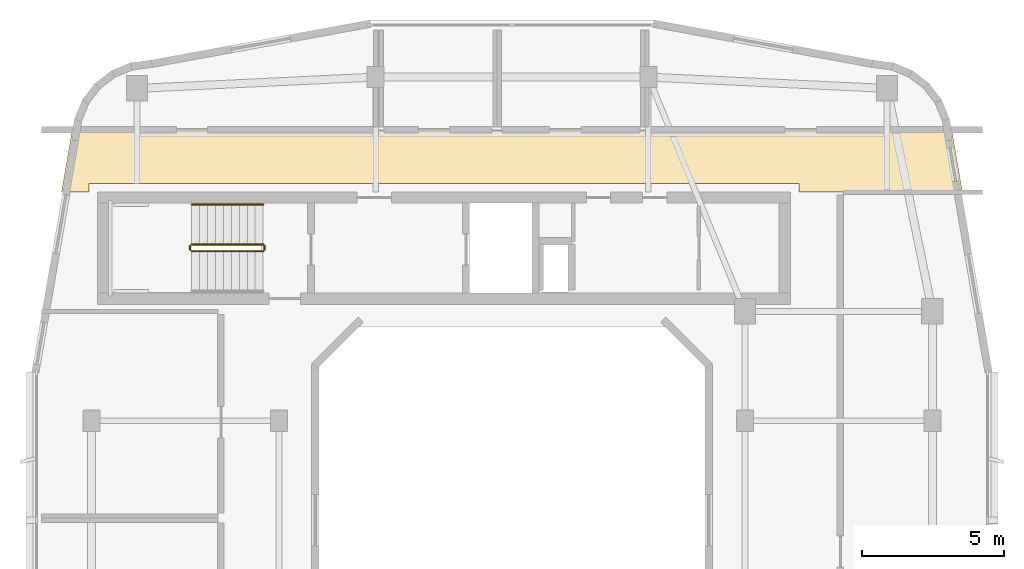
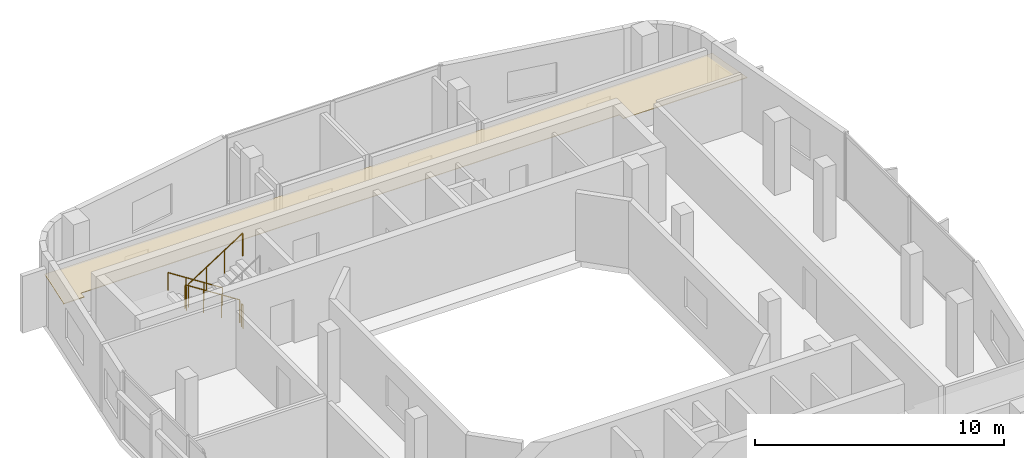
# One storey, part 9 of 10: 5 railings, 1 covering.
"""IFC4 building model written with IfcOpenShell, lengths in metres."""

from ifc_helpers import new_model, si_unit, derived_unit, direction, frame, origin, origin_2d, place, context, subcontext, project, spatial, polyline, circle, outline, extrude, material, layer, layer_set, type_object, element, save


model = new_model("IFC4")

# Units and contexts
model_context = context("Model", 3, precision=1e-05, world=origin(), true_north=direction((0.0, 1.0)))
body_context = subcontext(model_context, "Body", "Model", "MODEL_VIEW")
ifc_project = project(units=[si_unit("LENGTHUNIT", "METRE"), si_unit("AREAUNIT", "SQUARE_METRE"), si_unit("VOLUMEUNIT", "CUBIC_METRE"), si_unit("PLANEANGLEUNIT", "RADIAN"), si_unit("MASSUNIT", "GRAM", prefix="KILO"), derived_unit("THERMALTRANSMITTANCEUNIT", [(si_unit("POWERUNIT", "WATT"), 1), (si_unit("LENGTHUNIT", "METRE"), -2), (si_unit("THERMODYNAMICTEMPERATUREUNIT", "KELVIN"), -1)])], contexts=[model_context])

# Site, building, storey
site_placement = place(None, origin())
site = spatial("IfcSite", under=ifc_project, at=site_placement, CompositionType="ELEMENT")
building_placement = place(site_placement, origin())
building = spatial("IfcBuilding", under=site, at=building_placement, Name="Kivonza Crest Hotel", CompositionType="ELEMENT")
storey_placement = place(building_placement, frame((0.0, 0.0, 264.800048828125)))
storey = spatial("IfcBuildingStorey", under=building, at=storey_placement, Name="L72", CompositionType="ELEMENT", Elevation=264.800048828125)

# Covering
ifc_material_1 = material(Name="Moisture-resistant gypsum plasterboard ceiling", Category="gypsum")
ifc_layer = layer(ifc_material_1, 0.030029296875)
ifc_layer_set = layer_set([ifc_layer], Name="Moisture-resistant gypsum plasterboard ceiling")
covering_type = type_object("IfcCoveringType", Name="CV-CEIL-GYP", PredefinedType="CEILING", material=ifc_layer_set)
covering_placement = place(storey_placement, frame((0.0, 0.0, 2.449951171875)))
element("IfcCovering", 1, at=covering_placement, inside=storey, type_object=covering_type, Name="L72 L72 Crown North Gallery Corridor suspended ceiling", PredefinedType="CEILING", context=body_context, shape_type="SweptSolid", body=[
    extrude(outline(polyline([(5.50390625, 38.739990234375), (5.4599609375, 38.406005859375), (5.14306640625, 36.56005859375), (6.10009765625, 36.56005859375), (6.10009765625, 36.860107421875), (31.10009765625, 36.860107421875), (31.10009765625, 36.56005859375), (36.85693359375, 36.56005859375), (36.5400390625, 38.406005859375), (36.49609375, 38.739990234375), (5.50390625, 38.739990234375)])), origin(), (0.0, 0.0, 1.0), 0.030029296875),
])

# Railings
ifc_material_2 = material(Name="Brushed stainless steel handrail", Category="steel")
railing_type_1 = type_object("IfcRailingType", Name="RL-HAND-900", PredefinedType="HANDRAIL", material=ifc_material_2)
railing_1_placement = place(storey_placement, frame((12.239990234375, 36.110107421875, 0.179931640625)))
element("IfcRailing", 2, at=railing_1_placement, inside=storey, type_object=railing_type_1, Name="L72 ST-T1-N stair handrail 1", PredefinedType="HANDRAIL", context=body_context, shape_type="SweptSolid", body=[
    extrude(circle(Radius=0.02392578125, at=origin_2d()), frame((0.0, 0.0, 0.8759765625), z_axis=(-0.841162588446, 0.0, 0.540782303519), x_axis=(0.0, -1.0, 0.0)), (0.0, 0.0, 1.0), 2.995849609375),
    extrude(circle(Radius=0.02099609375, at=origin_2d()), origin(), (0.0, 0.0, 1.0), 0.851806640625),
    extrude(circle(Radius=0.02099609375, at=origin_2d()), frame((-0.840087890625, 0.0, 0.5400390625)), (0.0, 0.0, 1.0), 0.851806640625),
    extrude(circle(Radius=0.02099609375, at=origin_2d()), frame((-1.679931640625, 0.0, 1.080078125)), (0.0, 0.0, 1.0), 0.851806640625),
    extrude(circle(Radius=0.02099609375, at=origin_2d()), frame((-2.52001953125, 0.0, 1.6201171875)), (0.0, 0.0, 1.0), 0.851806640625),
])
ifc_material_3 = material(Name="Painted steel balustrade", Category="steel")
railing_type_2 = type_object("IfcRailingType", Name="RL-STAIR-1150", PredefinedType="BALUSTRADE", material=ifc_material_3)
railing_2_placement = place(storey_placement, frame((12.239990234375, 34.7099609375, 0.179931640625)))
element("IfcRailing", 3, at=railing_2_placement, inside=storey, type_object=railing_type_2, Name="L72 ST-T1-N stair guard 1", PredefinedType="BALUSTRADE", context=body_context, shape_type="SweptSolid", body=[
    extrude(circle(Radius=0.02392578125, at=origin_2d()), frame((0.0, 0.0, 1.1259765625), z_axis=(-0.841162588446, 0.0, 0.540782303519), x_axis=(0.0, -1.0, 0.0)), (0.0, 0.0, 1.0), 2.995849609375),
    extrude(circle(Radius=0.02099609375, at=origin_2d()), origin(), (0.0, 0.0, 1.0), 1.101806640625),
    extrude(circle(Radius=0.02099609375, at=origin_2d()), frame((-0.840087890625, 0.0, 0.5400390625)), (0.0, 0.0, 1.0), 1.101806640625),
    extrude(circle(Radius=0.02099609375, at=origin_2d()), frame((-1.679931640625, 0.0, 1.080078125)), (0.0, 0.0, 1.0), 1.101806640625),
    extrude(circle(Radius=0.02099609375, at=origin_2d()), frame((-2.52001953125, 0.0, 1.6201171875)), (0.0, 0.0, 1.0), 1.101806640625),
])
railing_3_placement = place(storey_placement, frame((9.669921875, 34.659912109375, 1.800048828125)))
element("IfcRailing", 4, at=railing_3_placement, inside=storey, type_object=railing_type_2, Name="L72 ST-T1-N stair guard 2", PredefinedType="BALUSTRADE", context=body_context, shape_type="SweptSolid", body=[
    extrude(circle(Radius=0.02392578125, at=origin_2d()), frame((0.0, 0.0, 1.1259765625), z_axis=(0.0, -1.0, 0.0), x_axis=(1.0, 0.0, 0.0)), (0.0, 0.0, 1.0), 0.139892578125),
    extrude(circle(Radius=0.02099609375, at=origin_2d()), origin(), (0.0, 0.0, 1.0), 1.101806640625),
    extrude(circle(Radius=0.02099609375, at=origin_2d()), frame((0.0, -0.139892578125, 0.0)), (0.0, 0.0, 1.0), 1.101806640625),
])
railing_4_placement = place(storey_placement, frame((9.719970703125, 34.469970703125, 1.97998046875)))
element("IfcRailing", 5, at=railing_4_placement, inside=storey, type_object=railing_type_2, Name="L72 ST-T1-N stair guard 3", PredefinedType="BALUSTRADE", context=body_context, shape_type="SweptSolid", body=[
    extrude(circle(Radius=0.02392578125, at=origin_2d()), frame((0.0, 0.0, 1.1259765625), z_axis=(0.841199657755, 0.0, 0.540724639528), x_axis=(0.0, 1.0, 0.0)), (0.0, 0.0, 1.0), 2.995849609375),
    extrude(circle(Radius=0.02099609375, at=origin_2d()), origin(), (0.0, 0.0, 1.0), 1.101806640625),
    extrude(circle(Radius=0.02099609375, at=origin_2d()), frame((0.840087890625, 0.0, 0.5400390625)), (0.0, 0.0, 1.0), 1.101806640625),
    extrude(circle(Radius=0.02099609375, at=origin_2d()), frame((1.679931640625, 0.0, 1.079833984375)), (0.0, 0.0, 1.0), 1.101806640625),
    extrude(circle(Radius=0.02099609375, at=origin_2d()), frame((2.52001953125, 0.0, 1.619873046875)), (0.0, 0.0, 1.0), 1.101806640625),
])
railing_5_placement = place(storey_placement, frame((12.2900390625, 34.659912109375, 0.0)))
element("IfcRailing", 6, at=railing_5_placement, inside=storey, type_object=railing_type_2, Name="L72 ST-T1-N stair guard 4", PredefinedType="BALUSTRADE", context=body_context, shape_type="SweptSolid", body=[
    extrude(circle(Radius=0.02392578125, at=origin_2d()), frame((0.0, 0.0, 1.1259765625), z_axis=(0.0, -1.0, 0.0), x_axis=(1.0, 0.0, 0.0)), (0.0, 0.0, 1.0), 0.139892578125),
    extrude(circle(Radius=0.02099609375, at=origin_2d()), origin(), (0.0, 0.0, 1.0), 1.101806640625),
    extrude(circle(Radius=0.02099609375, at=origin_2d()), frame((0.0, -0.139892578125, 0.0)), (0.0, 0.0, 1.0), 1.101806640625),
])

save(model, "model.ifc")
